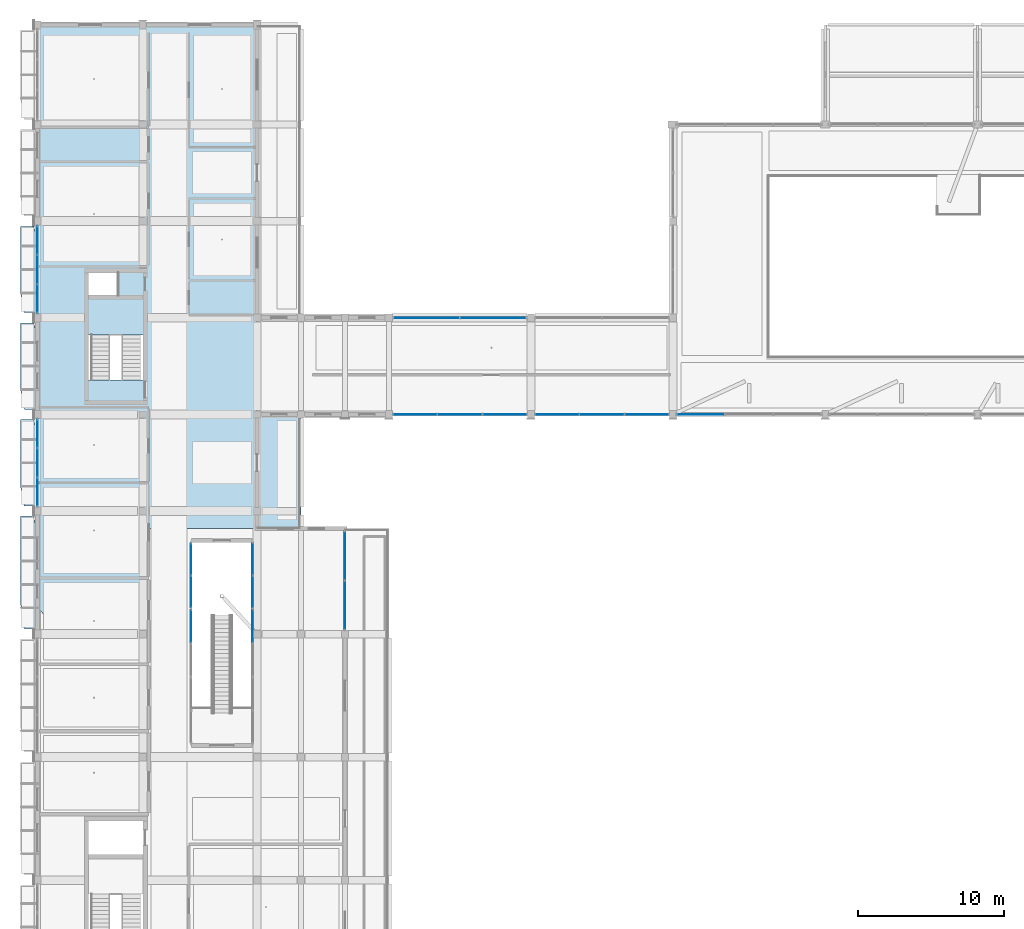
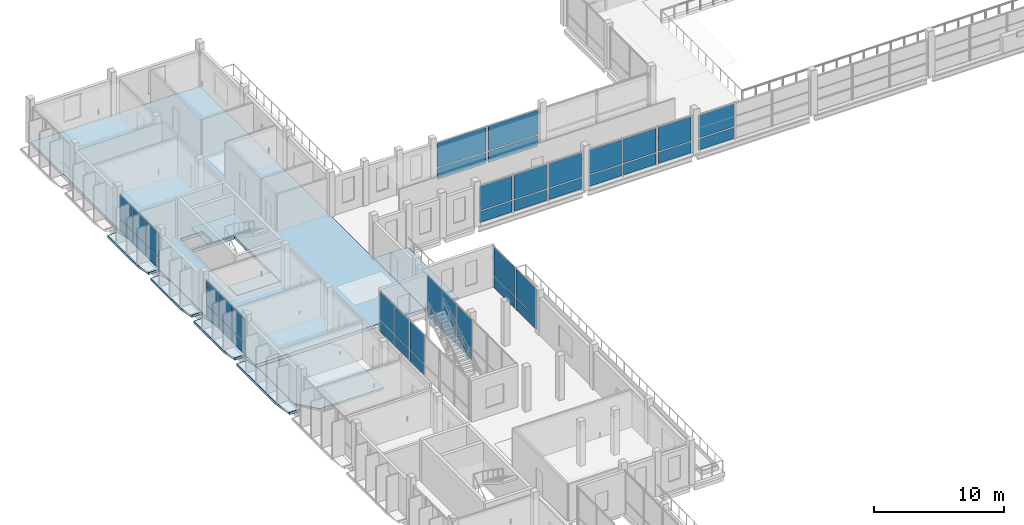
# One storey, part 31 of 85: 46 plates, 9 slabs, 12 elements without a shape of their own.
"""IFC4 building model written with IfcOpenShell, lengths in metres."""

from ifc_helpers import new_model, si_unit, derived_unit, direction, frame, origin, origin_2d, place, context, subcontext, project, spatial, polyline, rectangle, outline, extrude, material, layer, layer_set, type_object, element, aggregate, save


model = new_model("IFC4")

# Units and contexts
model_context = context("Model", 3, precision=1e-05, world=origin(), true_north=direction((0.0, 1.0)))
body_context = subcontext(model_context, "Body", "Model", "MODEL_VIEW")
ifc_project = project(units=[si_unit("LENGTHUNIT", "METRE"), si_unit("AREAUNIT", "SQUARE_METRE"), si_unit("VOLUMEUNIT", "CUBIC_METRE"), si_unit("PLANEANGLEUNIT", "RADIAN"), si_unit("MASSUNIT", "GRAM", prefix="KILO"), derived_unit("THERMALTRANSMITTANCEUNIT", [(si_unit("POWERUNIT", "WATT"), 1), (si_unit("LENGTHUNIT", "METRE"), -2), (si_unit("THERMODYNAMICTEMPERATUREUNIT", "KELVIN"), -1)])], contexts=[model_context])

# Site, building, storey
site_placement = place(None, origin())
site = spatial("IfcSite", under=ifc_project, at=site_placement, CompositionType="ELEMENT")
building_placement = place(site_placement, origin())
building = spatial("IfcBuilding", under=site, at=building_placement, Name="Braskholm Square Health Centre", CompositionType="ELEMENT")
storey_placement = place(building_placement, frame((0.0, 0.0, 9.300048828125)))
storey = spatial("IfcBuildingStorey", under=building, at=storey_placement, Name="L03", CompositionType="ELEMENT", Elevation=9.300048828125)

# Curtain wall, plates
ifc_material_1 = material(Name="Low-E triple insulating glass (VLT 0.64)", Category="glass")
curtain_wall_type_1 = type_object("IfcCurtainWallType", Name="UnitisedCurtainWall6200x3650", PredefinedType="NOTDEFINED", material=ifc_material_1)
curtain_wall_1_placement = place(storey_placement, origin())
curtain_wall_1 = element("IfcCurtainWall", 1, at=curtain_wall_1_placement, inside=storey, type_object=curtain_wall_type_1, Name="West Outer unitised curtain wall CW-L03-0019", PredefinedType="NOTDEFINED")
ifc_material_2 = material(Name="Architectural bronze anodised aluminium", Category="aluminium")
plate_type_1 = type_object("IfcPlateType", Name="CurtainPanelSpandrel1850x1020", PredefinedType="CURTAIN_PANEL", material=ifc_material_2)
plate_1_placement = place(storey_placement, frame((4.199951171875, 85.90673828125, 0.050048828125), z_axis=(0.0, 0.0, 1.0), x_axis=(0.0, -1.0, 0.0)))
plate_1 = element("IfcPlate", 2, at=plate_1_placement, type_object=plate_type_1, Name="CW-L03-0019 spandrel panel 1", PredefinedType="CURTAIN_PANEL", context=body_context, shape_type="SweptSolid", body=[
    extrude(rectangle(XDim=1.88623046875, YDim=0.035888671875, at=origin_2d()), origin(), (0.0, 0.0, 1.0), 1.02001953125),
])
plate_2_placement = place(storey_placement, frame((4.199951171875, 83.89990234375, 0.050048828125), z_axis=(0.0, 0.0, 1.0), x_axis=(0.0, -1.0, 0.0)))
plate_2 = element("IfcPlate", 3, at=plate_2_placement, type_object=plate_type_1, Name="CW-L03-0019 spandrel panel 2", PredefinedType="CURTAIN_PANEL", context=body_context, shape_type="SweptSolid", body=[
    extrude(rectangle(XDim=1.88623046875, YDim=0.035888671875, at=origin_2d()), origin(), (0.0, 0.0, 1.0), 1.02001953125),
])
plate_3_placement = place(storey_placement, frame((4.199951171875, 81.893310546875, 0.050048828125), z_axis=(0.0, 0.0, 1.0), x_axis=(0.0, -1.0, 0.0)))
plate_3 = element("IfcPlate", 4, at=plate_3_placement, type_object=plate_type_1, Name="CW-L03-0019 spandrel panel 3", PredefinedType="CURTAIN_PANEL", context=body_context, shape_type="SweptSolid", body=[
    extrude(rectangle(XDim=1.88623046875, YDim=0.035888671875, at=origin_2d()), origin(), (0.0, 0.0, 1.0), 1.02001953125),
])

curtain_wall_2_placement = place(storey_placement, origin())
curtain_wall_2 = element("IfcCurtainWall", 5, at=curtain_wall_2_placement, inside=storey, type_object=curtain_wall_type_1, Name="West Outer unitised curtain wall CW-L03-0020", PredefinedType="NOTDEFINED")
plate_4_placement = place(storey_placement, frame((4.199951171875, 99.106689453125, 0.050048828125), z_axis=(0.0, 0.0, 1.0), x_axis=(0.0, -1.0, 0.0)))
plate_4 = element("IfcPlate", 6, at=plate_4_placement, type_object=plate_type_1, Name="CW-L03-0020 spandrel panel 1", PredefinedType="CURTAIN_PANEL", context=body_context, shape_type="SweptSolid", body=[
    extrude(rectangle(XDim=1.88623046875, YDim=0.035888671875, at=origin_2d()), origin(), (0.0, 0.0, 1.0), 1.02001953125),
])
plate_5_placement = place(storey_placement, frame((4.199951171875, 97.10009765625, 0.050048828125), z_axis=(0.0, 0.0, 1.0), x_axis=(0.0, -1.0, 0.0)))
plate_5 = element("IfcPlate", 7, at=plate_5_placement, type_object=plate_type_1, Name="CW-L03-0020 spandrel panel 2", PredefinedType="CURTAIN_PANEL", context=body_context, shape_type="SweptSolid", body=[
    extrude(rectangle(XDim=1.88623046875, YDim=0.035888671875, at=origin_2d()), origin(), (0.0, 0.0, 1.0), 1.02001953125),
])
plate_6_placement = place(storey_placement, frame((4.199951171875, 95.09326171875, 0.050048828125), z_axis=(0.0, 0.0, 1.0), x_axis=(0.0, -1.0, 0.0)))
plate_6 = element("IfcPlate", 8, at=plate_6_placement, type_object=plate_type_1, Name="CW-L03-0020 spandrel panel 3", PredefinedType="CURTAIN_PANEL", context=body_context, shape_type="SweptSolid", body=[
    extrude(rectangle(XDim=1.88623046875, YDim=0.035888671875, at=origin_2d()), origin(), (0.0, 0.0, 1.0), 1.02001953125),
])

# Curtain wall, plate
curtain_wall_type_2 = type_object("IfcCurtainWallType", Name="UnitisedCurtainWall4800x3800", PredefinedType="NOTDEFINED", material=ifc_material_1)
curtain_wall_3_placement = place(storey_placement, origin())
curtain_wall_3 = element("IfcCurtainWall", 9, at=curtain_wall_3_placement, inside=storey, type_object=curtain_wall_type_2, Name="WC2 Court W unitised curtain wall CW-L03-0299", PredefinedType="NOTDEFINED")
plate_type_2 = type_object("IfcPlateType", Name="CurtainPanelSpandrel2150x1020", PredefinedType="CURTAIN_PANEL", material=ifc_material_2)
plate_7_placement = place(storey_placement, frame((14.699951171875, 72.75, 0.050048828125), z_axis=(0.0, 0.0, 1.0), x_axis=(0.0, 1.0, 0.0)))
plate_7 = element("IfcPlate", 10, at=plate_7_placement, type_object=plate_type_2, Name="CW-L03-0299 spandrel panel 2", PredefinedType="CURTAIN_PANEL", context=body_context, shape_type="SweptSolid", body=[
    extrude(rectangle(XDim=2.188232421875, YDim=0.035888671875, at=origin_2d()), origin(), (0.0, 0.0, 1.0), 1.02001953125),
])

curtain_wall_4_placement = place(storey_placement, origin())
curtain_wall_4 = element("IfcCurtainWall", 11, at=curtain_wall_4_placement, inside=storey, type_object=curtain_wall_type_2, Name="WC2 Court E unitised curtain wall CW-L03-0300", PredefinedType="NOTDEFINED")
plate_8_placement = place(storey_placement, frame((18.89990234375, 72.75, 0.050048828125), z_axis=(0.0, 0.0, 1.0), x_axis=(0.0, -1.0, 0.0)))
plate_8 = element("IfcPlate", 12, at=plate_8_placement, type_object=plate_type_2, Name="CW-L03-0300 spandrel panel 1", PredefinedType="CURTAIN_PANEL", context=body_context, shape_type="SweptSolid", body=[
    extrude(rectangle(XDim=2.188232421875, YDim=0.035888671875, at=origin_2d()), origin(), (0.0, 0.0, 1.0), 1.02001953125),
])

# Curtain wall, plates
curtain_wall_5_placement = place(storey_placement, origin())
curtain_wall_5 = element("IfcCurtainWall", 13, at=curtain_wall_5_placement, inside=storey, type_object=curtain_wall_type_2, Name="WC2 Court W unitised curtain wall CW-L03-0301", PredefinedType="NOTDEFINED")
plate_9_placement = place(storey_placement, frame((14.699951171875, 75.08203125, 0.050048828125), z_axis=(0.0, 0.0, 1.0), x_axis=(0.0, 1.0, 0.0)))
plate_9 = element("IfcPlate", 14, at=plate_9_placement, type_object=plate_type_2, Name="CW-L03-0301 spandrel panel 1", PredefinedType="CURTAIN_PANEL", context=body_context, shape_type="SweptSolid", body=[
    extrude(rectangle(XDim=2.125244140625, YDim=0.035888671875, at=origin_2d()), origin(), (0.0, 0.0, 1.0), 1.02001953125),
])
plate_10_placement = place(storey_placement, frame((14.699951171875, 77.31591796875, 0.050048828125), z_axis=(0.0, 0.0, 1.0), x_axis=(0.0, 1.0, 0.0)))
plate_10 = element("IfcPlate", 15, at=plate_10_placement, type_object=plate_type_2, Name="CW-L03-0301 spandrel panel 2", PredefinedType="CURTAIN_PANEL", context=body_context, shape_type="SweptSolid", body=[
    extrude(rectangle(XDim=2.125244140625, YDim=0.035888671875, at=origin_2d()), origin(), (0.0, 0.0, 1.0), 1.02001953125),
])

curtain_wall_6_placement = place(storey_placement, origin())
curtain_wall_6 = element("IfcCurtainWall", 16, at=curtain_wall_6_placement, inside=storey, type_object=curtain_wall_type_2, Name="WC2 Court E unitised curtain wall CW-L03-0302", PredefinedType="NOTDEFINED")
plate_11_placement = place(storey_placement, frame((18.89990234375, 77.31591796875, 0.050048828125), z_axis=(0.0, 0.0, 1.0), x_axis=(0.0, -1.0, 0.0)))
plate_11 = element("IfcPlate", 17, at=plate_11_placement, type_object=plate_type_2, Name="CW-L03-0302 spandrel panel 1", PredefinedType="CURTAIN_PANEL", context=body_context, shape_type="SweptSolid", body=[
    extrude(rectangle(XDim=2.125244140625, YDim=0.035888671875, at=origin_2d()), origin(), (0.0, 0.0, 1.0), 1.02001953125),
])
plate_12_placement = place(storey_placement, frame((18.89990234375, 75.08203125, 0.050048828125), z_axis=(0.0, 0.0, 1.0), x_axis=(0.0, -1.0, 0.0)))
plate_12 = element("IfcPlate", 18, at=plate_12_placement, type_object=plate_type_2, Name="CW-L03-0302 spandrel panel 2", PredefinedType="CURTAIN_PANEL", context=body_context, shape_type="SweptSolid", body=[
    extrude(rectangle(XDim=2.125244140625, YDim=0.035888671875, at=origin_2d()), origin(), (0.0, 0.0, 1.0), 1.02001953125),
])

curtain_wall_7_placement = place(storey_placement, origin())
curtain_wall_7 = element("IfcCurtainWall", 19, at=curtain_wall_7_placement, inside=storey, type_object=curtain_wall_type_1, Name="Hall Clerestory L03 unitised curtain wall CW-L03-0173", PredefinedType="NOTDEFINED")
plate_type_3 = type_object("IfcPlateType", Name="CurtainPanelSpandrel2750x1020", PredefinedType="CURTAIN_PANEL", material=ifc_material_2)
plate_13_placement = place(storey_placement, frame((29.97119140625, 87.199951171875, 0.050048828125), z_axis=(0.0, 0.0, 1.0), x_axis=(1.0, 0.0, 0.0)))
plate_13 = element("IfcPlate", 20, at=plate_13_placement, type_object=plate_type_3, Name="CW-L03-0173 spandrel panel 1", PredefinedType="CURTAIN_PANEL", context=body_context, shape_type="SweptSolid", body=[
    extrude(rectangle(XDim=2.893798828125, YDim=0.035888671875, at=origin_2d()), origin(), (0.0, 0.0, 1.0), 1.02001953125),
])
plate_14_placement = place(storey_placement, frame((33.050048828125, 87.199951171875, 0.050048828125), z_axis=(0.0, 0.0, 1.0), x_axis=(1.0, 0.0, 0.0)))
plate_14 = element("IfcPlate", 21, at=plate_14_placement, type_object=plate_type_3, Name="CW-L03-0173 spandrel panel 2", PredefinedType="CURTAIN_PANEL", context=body_context, shape_type="SweptSolid", body=[
    extrude(rectangle(XDim=2.893798828125, YDim=0.035888671875, at=origin_2d()), origin(), (0.0, 0.0, 1.0), 1.02001953125),
])
plate_15_placement = place(storey_placement, frame((36.128662109375, 87.199951171875, 0.050048828125), z_axis=(0.0, 0.0, 1.0), x_axis=(1.0, 0.0, 0.0)))
plate_15 = element("IfcPlate", 22, at=plate_15_placement, type_object=plate_type_3, Name="CW-L03-0173 spandrel panel 3", PredefinedType="CURTAIN_PANEL", context=body_context, shape_type="SweptSolid", body=[
    extrude(rectangle(XDim=2.893798828125, YDim=0.035888671875, at=origin_2d()), origin(), (0.0, 0.0, 1.0), 1.02001953125),
])

curtain_wall_8_placement = place(storey_placement, origin())
curtain_wall_8 = element("IfcCurtainWall", 23, at=curtain_wall_8_placement, inside=storey, type_object=curtain_wall_type_1, Name="Hall Clerestory L03 unitised curtain wall CW-L03-0179", PredefinedType="NOTDEFINED")
plate_16_placement = place(storey_placement, frame((39.67138671875, 87.199951171875, 0.050048828125), z_axis=(0.0, 0.0, 1.0), x_axis=(1.0, 0.0, 0.0)))
plate_16 = element("IfcPlate", 24, at=plate_16_placement, type_object=plate_type_3, Name="CW-L03-0179 spandrel panel 1", PredefinedType="CURTAIN_PANEL", context=body_context, shape_type="SweptSolid", body=[
    extrude(rectangle(XDim=2.893798828125, YDim=0.035888671875, at=origin_2d()), origin(), (0.0, 0.0, 1.0), 1.02001953125),
])
plate_17_placement = place(storey_placement, frame((42.75, 87.199951171875, 0.050048828125), z_axis=(0.0, 0.0, 1.0), x_axis=(1.0, 0.0, 0.0)))
plate_17 = element("IfcPlate", 25, at=plate_17_placement, type_object=plate_type_3, Name="CW-L03-0179 spandrel panel 2", PredefinedType="CURTAIN_PANEL", context=body_context, shape_type="SweptSolid", body=[
    extrude(rectangle(XDim=2.893798828125, YDim=0.035888671875, at=origin_2d()), origin(), (0.0, 0.0, 1.0), 1.02001953125),
])
plate_18_placement = place(storey_placement, frame((45.82861328125, 87.199951171875, 0.050048828125), z_axis=(0.0, 0.0, 1.0), x_axis=(1.0, 0.0, 0.0)))
plate_18 = element("IfcPlate", 26, at=plate_18_placement, type_object=plate_type_3, Name="CW-L03-0179 spandrel panel 3", PredefinedType="CURTAIN_PANEL", context=body_context, shape_type="SweptSolid", body=[
    extrude(rectangle(XDim=2.893798828125, YDim=0.035888671875, at=origin_2d()), origin(), (0.0, 0.0, 1.0), 1.02001953125),
])

curtain_wall_type_3 = type_object("IfcCurtainWallType", Name="UnitisedCurtainWall6200x4100", PredefinedType="NOTDEFINED", material=ifc_material_1)
curtain_wall_9_placement = place(storey_placement, origin())
curtain_wall_9 = element("IfcCurtainWall", 27, at=curtain_wall_9_placement, inside=storey, type_object=curtain_wall_type_3, Name="West Valley unitised curtain wall CW-L03-0094", PredefinedType="NOTDEFINED")
plate_type_4 = type_object("IfcPlateType", Name="CurtainPanelSpandrel3150x1020", PredefinedType="CURTAIN_PANEL", material=ifc_material_2)
plate_19_placement = place(storey_placement, frame((25.199951171875, 74.179931640625, 0.050048828125), z_axis=(0.0, 0.0, 1.0), x_axis=(0.0, 1.0, 0.0)))
plate_19 = element("IfcPlate", 28, at=plate_19_placement, type_object=plate_type_4, Name="CW-L03-0094 spandrel panel 1", PredefinedType="CURTAIN_PANEL", context=body_context, shape_type="SweptSolid", body=[
    extrude(rectangle(XDim=3.195068359375, YDim=0.035888671875, at=origin_2d()), origin(), (0.0, 0.0, 1.0), 1.02001953125),
])
plate_20_placement = place(storey_placement, frame((25.199951171875, 77.5380859375, 0.050048828125), z_axis=(0.0, 0.0, 1.0), x_axis=(0.0, 1.0, 0.0)))
plate_20 = element("IfcPlate", 29, at=plate_20_placement, type_object=plate_type_4, Name="CW-L03-0094 spandrel panel 2", PredefinedType="CURTAIN_PANEL", context=body_context, shape_type="SweptSolid", body=[
    extrude(rectangle(XDim=3.195068359375, YDim=0.035888671875, at=origin_2d()), origin(), (0.0, 0.0, 1.0), 1.02001953125),
])

# Curtain wall, plate
curtain_wall_10_placement = place(storey_placement, origin())
curtain_wall_10 = element("IfcCurtainWall", 30, at=curtain_wall_10_placement, inside=storey, type_object=curtain_wall_type_1, Name="Hall Clerestory L03 unitised curtain wall CW-L03-0185", PredefinedType="NOTDEFINED")
plate_21_placement = place(storey_placement, frame((49.488037109375, 87.199951171875, 0.050048828125), z_axis=(0.0, 0.0, 1.0), x_axis=(1.0, 0.0, 0.0)))
plate_21 = element("IfcPlate", 31, at=plate_21_placement, type_object=plate_type_4, Name="CW-L03-0185 spandrel panel 1", PredefinedType="CURTAIN_PANEL", context=body_context, shape_type="SweptSolid", body=[
    extrude(rectangle(XDim=3.11328125, YDim=0.035888671875, at=origin_2d()), origin(), (0.0, 0.0, 1.0), 1.02001953125),
])

# Curtain wall, plates
curtain_wall_11_placement = place(storey_placement, origin())
curtain_wall_11 = element("IfcCurtainWall", 32, at=curtain_wall_11_placement, inside=storey, type_object=curtain_wall_type_1, Name="Portal North L03 unitised curtain wall CW-L03-0176", PredefinedType="NOTDEFINED")
plate_type_5 = type_object("IfcPlateType", Name="CurtainPanelSpandrel4350x1020", PredefinedType="CURTAIN_PANEL", material=ifc_material_2)
plate_22_placement = place(storey_placement, frame((35.3212890625, 93.800048828125, 0.050048828125), z_axis=(0.0, 0.0, 1.0), x_axis=(-1.0, 0.0, 0.0)))
plate_22 = element("IfcPlate", 33, at=plate_22_placement, type_object=plate_type_5, Name="CW-L03-0176 spandrel panel 1", PredefinedType="CURTAIN_PANEL", context=body_context, shape_type="SweptSolid", body=[
    extrude(rectangle(XDim=4.322021484375, YDim=0.035888671875, at=origin_2d()), origin(), (0.0, 0.0, 1.0), 1.02001953125),
])
plate_23_placement = place(storey_placement, frame((30.778564453125, 93.800048828125, 0.050048828125), z_axis=(0.0, 0.0, 1.0), x_axis=(-1.0, 0.0, 0.0)))
plate_23 = element("IfcPlate", 34, at=plate_23_placement, type_object=plate_type_5, Name="CW-L03-0176 spandrel panel 2", PredefinedType="CURTAIN_PANEL", context=body_context, shape_type="SweptSolid", body=[
    extrude(rectangle(XDim=4.322021484375, YDim=0.035888671875, at=origin_2d()), origin(), (0.0, 0.0, 1.0), 1.02001953125),
])

# Plate
plate_type_6 = type_object("IfcPlateType", Name="CurtainPanelVision1850x2120", PredefinedType="CURTAIN_PANEL", material=ifc_material_1)
plate_24_placement = place(storey_placement, frame((4.199951171875, 85.90673828125, 1.169921875), z_axis=(0.0, 0.0, 1.0), x_axis=(0.0, -1.0, 0.0)))
plate_24 = element("IfcPlate", 35, at=plate_24_placement, type_object=plate_type_6, Name="CW-L03-0019 vision glass panel 1", PredefinedType="CURTAIN_PANEL", context=body_context, shape_type="SweptSolid", body=[
    extrude(rectangle(XDim=1.88623046875, YDim=0.035888671875, at=origin_2d()), origin(), (0.0, 0.0, 1.0), 2.199951171875),
])

plate_25_placement = place(storey_placement, frame((4.199951171875, 83.89990234375, 1.169921875), z_axis=(0.0, 0.0, 1.0), x_axis=(0.0, -1.0, 0.0)))
plate_25 = element("IfcPlate", 36, at=plate_25_placement, type_object=plate_type_6, Name="CW-L03-0019 vision glass panel 2", PredefinedType="CURTAIN_PANEL", context=body_context, shape_type="SweptSolid", body=[
    extrude(rectangle(XDim=1.88623046875, YDim=0.035888671875, at=origin_2d()), origin(), (0.0, 0.0, 1.0), 2.199951171875),
])

plate_26_placement = place(storey_placement, frame((4.199951171875, 81.893310546875, 1.169921875), z_axis=(0.0, 0.0, 1.0), x_axis=(0.0, -1.0, 0.0)))
plate_26 = element("IfcPlate", 37, at=plate_26_placement, type_object=plate_type_6, Name="CW-L03-0019 vision glass panel 3", PredefinedType="CURTAIN_PANEL", context=body_context, shape_type="SweptSolid", body=[
    extrude(rectangle(XDim=1.88623046875, YDim=0.035888671875, at=origin_2d()), origin(), (0.0, 0.0, 1.0), 2.199951171875),
])

aggregate(curtain_wall_1, [plate_1, plate_24, plate_2, plate_25, plate_3, plate_26])

plate_27_placement = place(storey_placement, frame((4.199951171875, 99.106689453125, 1.169921875), z_axis=(0.0, 0.0, 1.0), x_axis=(0.0, -1.0, 0.0)))
plate_27 = element("IfcPlate", 38, at=plate_27_placement, type_object=plate_type_6, Name="CW-L03-0020 vision glass panel 1", PredefinedType="CURTAIN_PANEL", context=body_context, shape_type="SweptSolid", body=[
    extrude(rectangle(XDim=1.88623046875, YDim=0.035888671875, at=origin_2d()), origin(), (0.0, 0.0, 1.0), 2.199951171875),
])

plate_28_placement = place(storey_placement, frame((4.199951171875, 97.10009765625, 1.169921875), z_axis=(0.0, 0.0, 1.0), x_axis=(0.0, -1.0, 0.0)))
plate_28 = element("IfcPlate", 39, at=plate_28_placement, type_object=plate_type_6, Name="CW-L03-0020 vision glass panel 2", PredefinedType="CURTAIN_PANEL", context=body_context, shape_type="SweptSolid", body=[
    extrude(rectangle(XDim=1.88623046875, YDim=0.035888671875, at=origin_2d()), origin(), (0.0, 0.0, 1.0), 2.199951171875),
])

plate_29_placement = place(storey_placement, frame((4.199951171875, 95.09326171875, 1.169921875), z_axis=(0.0, 0.0, 1.0), x_axis=(0.0, -1.0, 0.0)))
plate_29 = element("IfcPlate", 40, at=plate_29_placement, type_object=plate_type_6, Name="CW-L03-0020 vision glass panel 3", PredefinedType="CURTAIN_PANEL", context=body_context, shape_type="SweptSolid", body=[
    extrude(rectangle(XDim=1.88623046875, YDim=0.035888671875, at=origin_2d()), origin(), (0.0, 0.0, 1.0), 2.199951171875),
])

aggregate(curtain_wall_2, [plate_4, plate_27, plate_5, plate_28, plate_6, plate_29])

plate_type_7 = type_object("IfcPlateType", Name="CurtainPanelVision2150x2520", PredefinedType="CURTAIN_PANEL", material=ifc_material_1)
plate_30_placement = place(storey_placement, frame((14.699951171875, 72.75, 1.169921875), z_axis=(0.0, 0.0, 1.0), x_axis=(0.0, 1.0, 0.0)))
plate_30 = element("IfcPlate", 41, at=plate_30_placement, type_object=plate_type_7, Name="CW-L03-0299 vision glass panel 2", PredefinedType="CURTAIN_PANEL", context=body_context, shape_type="SweptSolid", body=[
    extrude(rectangle(XDim=2.188232421875, YDim=0.035888671875, at=origin_2d()), origin(), (0.0, 0.0, 1.0), 2.6201171875),
])

aggregate(curtain_wall_3, [plate_7, plate_30])

plate_31_placement = place(storey_placement, frame((18.89990234375, 72.75, 1.169921875), z_axis=(0.0, 0.0, 1.0), x_axis=(0.0, -1.0, 0.0)))
plate_31 = element("IfcPlate", 42, at=plate_31_placement, type_object=plate_type_7, Name="CW-L03-0300 vision glass panel 1", PredefinedType="CURTAIN_PANEL", context=body_context, shape_type="SweptSolid", body=[
    extrude(rectangle(XDim=2.188232421875, YDim=0.035888671875, at=origin_2d()), origin(), (0.0, 0.0, 1.0), 2.6201171875),
])

aggregate(curtain_wall_4, [plate_8, plate_31])

plate_32_placement = place(storey_placement, frame((14.699951171875, 75.08203125, 1.169921875), z_axis=(0.0, 0.0, 1.0), x_axis=(0.0, 1.0, 0.0)))
plate_32 = element("IfcPlate", 43, at=plate_32_placement, type_object=plate_type_7, Name="CW-L03-0301 vision glass panel 1", PredefinedType="CURTAIN_PANEL", context=body_context, shape_type="SweptSolid", body=[
    extrude(rectangle(XDim=2.125244140625, YDim=0.035888671875, at=origin_2d()), origin(), (0.0, 0.0, 1.0), 2.6201171875),
])

plate_33_placement = place(storey_placement, frame((14.699951171875, 77.31591796875, 1.169921875), z_axis=(0.0, 0.0, 1.0), x_axis=(0.0, 1.0, 0.0)))
plate_33 = element("IfcPlate", 44, at=plate_33_placement, type_object=plate_type_7, Name="CW-L03-0301 vision glass panel 2", PredefinedType="CURTAIN_PANEL", context=body_context, shape_type="SweptSolid", body=[
    extrude(rectangle(XDim=2.125244140625, YDim=0.035888671875, at=origin_2d()), origin(), (0.0, 0.0, 1.0), 2.6201171875),
])

aggregate(curtain_wall_5, [plate_9, plate_32, plate_10, plate_33])

plate_34_placement = place(storey_placement, frame((18.89990234375, 77.31591796875, 1.169921875), z_axis=(0.0, 0.0, 1.0), x_axis=(0.0, -1.0, 0.0)))
plate_34 = element("IfcPlate", 45, at=plate_34_placement, type_object=plate_type_7, Name="CW-L03-0302 vision glass panel 1", PredefinedType="CURTAIN_PANEL", context=body_context, shape_type="SweptSolid", body=[
    extrude(rectangle(XDim=2.125244140625, YDim=0.035888671875, at=origin_2d()), origin(), (0.0, 0.0, 1.0), 2.6201171875),
])

plate_35_placement = place(storey_placement, frame((18.89990234375, 75.08203125, 1.169921875), z_axis=(0.0, 0.0, 1.0), x_axis=(0.0, -1.0, 0.0)))
plate_35 = element("IfcPlate", 46, at=plate_35_placement, type_object=plate_type_7, Name="CW-L03-0302 vision glass panel 2", PredefinedType="CURTAIN_PANEL", context=body_context, shape_type="SweptSolid", body=[
    extrude(rectangle(XDim=2.125244140625, YDim=0.035888671875, at=origin_2d()), origin(), (0.0, 0.0, 1.0), 2.6201171875),
])

aggregate(curtain_wall_6, [plate_11, plate_34, plate_12, plate_35])

plate_type_8 = type_object("IfcPlateType", Name="CurtainPanelVision2750x2120", PredefinedType="CURTAIN_PANEL", material=ifc_material_1)
plate_36_placement = place(storey_placement, frame((29.97119140625, 87.199951171875, 1.169921875), z_axis=(0.0, 0.0, 1.0), x_axis=(1.0, 0.0, 0.0)))
plate_36 = element("IfcPlate", 47, at=plate_36_placement, type_object=plate_type_8, Name="CW-L03-0173 vision glass panel 1", PredefinedType="CURTAIN_PANEL", context=body_context, shape_type="SweptSolid", body=[
    extrude(rectangle(XDim=2.893798828125, YDim=0.035888671875, at=origin_2d()), origin(), (0.0, 0.0, 1.0), 2.27001953125),
])

plate_37_placement = place(storey_placement, frame((33.050048828125, 87.199951171875, 1.169921875), z_axis=(0.0, 0.0, 1.0), x_axis=(1.0, 0.0, 0.0)))
plate_37 = element("IfcPlate", 48, at=plate_37_placement, type_object=plate_type_8, Name="CW-L03-0173 vision glass panel 2", PredefinedType="CURTAIN_PANEL", context=body_context, shape_type="SweptSolid", body=[
    extrude(rectangle(XDim=2.893798828125, YDim=0.035888671875, at=origin_2d()), origin(), (0.0, 0.0, 1.0), 2.27001953125),
])

plate_38_placement = place(storey_placement, frame((36.128662109375, 87.199951171875, 1.169921875), z_axis=(0.0, 0.0, 1.0), x_axis=(1.0, 0.0, 0.0)))
plate_38 = element("IfcPlate", 49, at=plate_38_placement, type_object=plate_type_8, Name="CW-L03-0173 vision glass panel 3", PredefinedType="CURTAIN_PANEL", context=body_context, shape_type="SweptSolid", body=[
    extrude(rectangle(XDim=2.893798828125, YDim=0.035888671875, at=origin_2d()), origin(), (0.0, 0.0, 1.0), 2.27001953125),
])

aggregate(curtain_wall_7, [plate_13, plate_36, plate_14, plate_37, plate_15, plate_38])

plate_39_placement = place(storey_placement, frame((39.67138671875, 87.199951171875, 1.169921875), z_axis=(0.0, 0.0, 1.0), x_axis=(1.0, 0.0, 0.0)))
plate_39 = element("IfcPlate", 50, at=plate_39_placement, type_object=plate_type_8, Name="CW-L03-0179 vision glass panel 1", PredefinedType="CURTAIN_PANEL", context=body_context, shape_type="SweptSolid", body=[
    extrude(rectangle(XDim=2.893798828125, YDim=0.035888671875, at=origin_2d()), origin(), (0.0, 0.0, 1.0), 2.27001953125),
])

plate_40_placement = place(storey_placement, frame((42.75, 87.199951171875, 1.169921875), z_axis=(0.0, 0.0, 1.0), x_axis=(1.0, 0.0, 0.0)))
plate_40 = element("IfcPlate", 51, at=plate_40_placement, type_object=plate_type_8, Name="CW-L03-0179 vision glass panel 2", PredefinedType="CURTAIN_PANEL", context=body_context, shape_type="SweptSolid", body=[
    extrude(rectangle(XDim=2.893798828125, YDim=0.035888671875, at=origin_2d()), origin(), (0.0, 0.0, 1.0), 2.27001953125),
])

plate_41_placement = place(storey_placement, frame((45.82861328125, 87.199951171875, 1.169921875), z_axis=(0.0, 0.0, 1.0), x_axis=(1.0, 0.0, 0.0)))
plate_41 = element("IfcPlate", 52, at=plate_41_placement, type_object=plate_type_8, Name="CW-L03-0179 vision glass panel 3", PredefinedType="CURTAIN_PANEL", context=body_context, shape_type="SweptSolid", body=[
    extrude(rectangle(XDim=2.893798828125, YDim=0.035888671875, at=origin_2d()), origin(), (0.0, 0.0, 1.0), 2.27001953125),
])

aggregate(curtain_wall_8, [plate_16, plate_39, plate_17, plate_40, plate_18, plate_41])

plate_type_9 = type_object("IfcPlateType", Name="CurtainPanelVision3150x2120", PredefinedType="CURTAIN_PANEL", material=ifc_material_1)
plate_42_placement = place(storey_placement, frame((49.488037109375, 87.199951171875, 1.169921875), z_axis=(0.0, 0.0, 1.0), x_axis=(1.0, 0.0, 0.0)))
plate_42 = element("IfcPlate", 53, at=plate_42_placement, type_object=plate_type_9, Name="CW-L03-0185 vision glass panel 1", PredefinedType="CURTAIN_PANEL", context=body_context, shape_type="SweptSolid", body=[
    extrude(rectangle(XDim=3.11328125, YDim=0.035888671875, at=origin_2d()), origin(), (0.0, 0.0, 1.0), 2.1259765625),
])

aggregate(curtain_wall_10, [plate_21, plate_42])

plate_type_10 = type_object("IfcPlateType", Name="CurtainPanelVision3150x2520", PredefinedType="CURTAIN_PANEL", material=ifc_material_1)
plate_43_placement = place(storey_placement, frame((25.199951171875, 74.179931640625, 1.169921875), z_axis=(0.0, 0.0, 1.0), x_axis=(0.0, 1.0, 0.0)))
plate_43 = element("IfcPlate", 54, at=plate_43_placement, type_object=plate_type_10, Name="CW-L03-0094 vision glass panel 1", PredefinedType="CURTAIN_PANEL", context=body_context, shape_type="SweptSolid", body=[
    extrude(rectangle(XDim=3.195068359375, YDim=0.035888671875, at=origin_2d()), origin(), (0.0, 0.0, 1.0), 2.669921875),
])

plate_44_placement = place(storey_placement, frame((25.199951171875, 77.5380859375, 1.169921875), z_axis=(0.0, 0.0, 1.0), x_axis=(0.0, 1.0, 0.0)))
plate_44 = element("IfcPlate", 55, at=plate_44_placement, type_object=plate_type_10, Name="CW-L03-0094 vision glass panel 2", PredefinedType="CURTAIN_PANEL", context=body_context, shape_type="SweptSolid", body=[
    extrude(rectangle(XDim=3.195068359375, YDim=0.035888671875, at=origin_2d()), origin(), (0.0, 0.0, 1.0), 2.669921875),
])

aggregate(curtain_wall_9, [plate_19, plate_43, plate_20, plate_44])

plate_type_11 = type_object("IfcPlateType", Name="CurtainPanelVision4350x2120", PredefinedType="CURTAIN_PANEL", material=ifc_material_1)
plate_45_placement = place(storey_placement, frame((35.3212890625, 93.800048828125, 1.169921875), z_axis=(0.0, 0.0, 1.0), x_axis=(-1.0, 0.0, 0.0)))
plate_45 = element("IfcPlate", 56, at=plate_45_placement, type_object=plate_type_11, Name="CW-L03-0176 vision glass panel 1", PredefinedType="CURTAIN_PANEL", context=body_context, shape_type="SweptSolid", body=[
    extrude(rectangle(XDim=4.322021484375, YDim=0.035888671875, at=origin_2d()), origin(), (0.0, 0.0, 1.0), 2.27001953125),
])

plate_46_placement = place(storey_placement, frame((30.778564453125, 93.800048828125, 1.169921875), z_axis=(0.0, 0.0, 1.0), x_axis=(-1.0, 0.0, 0.0)))
plate_46 = element("IfcPlate", 57, at=plate_46_placement, type_object=plate_type_11, Name="CW-L03-0176 vision glass panel 2", PredefinedType="CURTAIN_PANEL", context=body_context, shape_type="SweptSolid", body=[
    extrude(rectangle(XDim=4.322021484375, YDim=0.035888671875, at=origin_2d()), origin(), (0.0, 0.0, 1.0), 2.27001953125),
])

aggregate(curtain_wall_11, [plate_22, plate_45, plate_23, plate_46])

# Slabs
ifc_material_3 = material(Name="Precast concrete C40/50 architectural white", Category="concrete")
ifc_layer_1 = layer(ifc_material_3, 0.2099609375)
ifc_layer_set_1 = layer_set([ifc_layer_1], Name="Precast concrete C40/50 architectural white")
slab_type_1 = type_object("IfcSlabType", Name="PitchedAndCrownRoofSlab150", PredefinedType="ROOF", material=ifc_layer_set_1)
slab_1_placement = place(storey_placement, frame((0.0, 0.0, -0.2099609375)))
element("IfcSlab", 58, at=slab_1_placement, inside=storey, type_object=slab_type_1, Name="Level L03 West precast planter ledge 027", PredefinedType="ROOF", context=body_context, shape_type="SweptSolid", body=[
    extrude(outline(polyline([(3.302978515625, 72.550048828125), (4.199951171875, 72.550048828125), (4.199951171875, 78.555908203125), (3.947021484375, 80.25), (3.050048828125, 80.25), (3.050048828125, 74.243896484375), (3.302978515625, 72.550048828125)])), origin(), (0.0, 0.0, 1.0), 0.2099609375),
])
slab_2_placement = place(storey_placement, frame((0.0, 0.0, -0.2099609375)))
element("IfcSlab", 59, at=slab_2_placement, inside=storey, type_object=slab_type_1, Name="Level L03 West precast planter ledge 028", PredefinedType="ROOF", context=body_context, shape_type="SweptSolid", body=[
    extrude(outline(polyline([(3.302978515625, 80.949951171875), (4.199951171875, 80.949951171875), (4.199951171875, 85.552001953125), (3.947021484375, 86.85009765625), (3.050048828125, 86.85009765625), (3.050048828125, 82.248046875), (3.302978515625, 80.949951171875)])), origin(), (0.0, 0.0, 1.0), 0.2099609375),
])
slab_3_placement = place(storey_placement, frame((0.0, 0.0, -0.2099609375)))
element("IfcSlab", 60, at=slab_3_placement, inside=storey, type_object=slab_type_1, Name="Level L03 West precast planter ledge 029", PredefinedType="ROOF", context=body_context, shape_type="SweptSolid", body=[
    extrude(outline(polyline([(3.302978515625, 87.550048828125), (4.199951171875, 87.550048828125), (4.199951171875, 92.152099609375), (3.947021484375, 93.449951171875), (3.050048828125, 93.449951171875), (3.050048828125, 88.847900390625), (3.302978515625, 87.550048828125)])), origin(), (0.0, 0.0, 1.0), 0.2099609375),
])
slab_4_placement = place(storey_placement, frame((0.0, 0.0, -0.2099609375)))
element("IfcSlab", 61, at=slab_4_placement, inside=storey, type_object=slab_type_1, Name="Level L03 West precast planter ledge 030", PredefinedType="ROOF", context=body_context, shape_type="SweptSolid", body=[
    extrude(outline(polyline([(3.302978515625, 94.14990234375), (4.199951171875, 94.14990234375), (4.199951171875, 98.751953125), (3.947021484375, 100.050048828125), (3.050048828125, 100.050048828125), (3.050048828125, 95.447998046875), (3.302978515625, 94.14990234375)])), origin(), (0.0, 0.0, 1.0), 0.2099609375),
])
ifc_material_4 = material(Name="Concrete C35/45 (f'c = 35 MPa)", Category="concrete")
ifc_layer_2 = layer(ifc_material_4, 0.25)
ifc_layer_set_2 = layer_set([ifc_layer_2], Name="Concrete C35/45 (f'c = 35 MPa)")
slab_type_2 = type_object("IfcSlabType", Name="PlantedTerraceRoofSlab250", PredefinedType="ROOF", material=ifc_layer_set_2)
slab_5_placement = place(storey_placement, frame((0.0, 0.0, -0.25)))
element("IfcSlab", 62, at=slab_5_placement, inside=storey, type_object=slab_type_2, Name="Level L03 Northwest Step 1 valley terrace slab", PredefinedType="ROOF", context=body_context, shape_type="SweptSolid", body=[
    extrude(outline(polyline([(19.199951171875, 79.39990234375), (22.199951171875, 79.39990234375), (22.199951171875, 87.199951171875), (19.199951171875, 87.199951171875), (19.199951171875, 79.39990234375)])), origin(), (0.0, 0.0, 1.0), 0.25),
])
ifc_layer_3 = layer(ifc_material_4, 0.199951171875)
ifc_layer_set_3 = layer_set([ifc_layer_3], Name="Concrete C35/45 (f'c = 35 MPa)")
slab_type_3 = type_object("IfcSlabType", Name="PunchingDropPanel200", PredefinedType="USERDEFINED", material=ifc_layer_set_3)
slab_6_placement = place(storey_placement, frame((0.0, 0.0, -0.5)))
element("IfcSlab", 63, at=slab_6_placement, inside=storey, type_object=slab_type_3, Name="Thickened vibration drop panel 010 L03", ObjectType="DROPPANEL", PredefinedType="USERDEFINED", context=body_context, shape_type="SweptSolid", body=[
    extrude(outline(polyline([(5.783935546875, 72.199951171875), (11.39990234375, 72.199951171875), (11.39990234375, 78.751953125), (9.81591796875, 80.60009765625), (4.199951171875, 80.60009765625), (4.199951171875, 74.048095703125), (5.783935546875, 72.199951171875)])), origin(), (0.0, 0.0, 1.0), 0.199951171875),
])

# Stair, slabs
stair_type = type_object("IfcStairType", Name="ExitReturnStairL03", PredefinedType="HALF_TURN_STAIR", material=ifc_material_4)
stair_placement = place(storey_placement, origin())
stair = element("IfcStair", 64, at=stair_placement, inside=storey, type_object=stair_type, Name="Enclosed exit stair ST-03 L03 to L04", PredefinedType="HALF_TURN_STAIR")
ifc_layer_4 = layer(ifc_material_4, 0.179931640625)
ifc_layer_set_4 = layer_set([ifc_layer_4], Name="Concrete C35/45 (f'c = 35 MPa)")
slab_type_4 = type_object("IfcSlabType", Name="StairLandingSlab180", PredefinedType="LANDING", material=ifc_layer_set_4)
slab_7_placement = place(storey_placement, frame((0.0, 0.0, 1.919921875)))
slab_7 = element("IfcSlab", 65, at=slab_7_placement, type_object=slab_type_4, Name="Stair ST-03 half-landing L03", PredefinedType="LANDING", context=body_context, shape_type="SweptSolid", body=[
    extrude(outline(polyline([(7.64990234375, 92.639892578125), (11.449951171875, 92.639892578125), (11.449951171875, 95.10009765625), (7.64990234375, 95.10009765625), (7.64990234375, 92.639892578125)])), origin(), (0.0, 0.0, 1.0), 0.179931640625),
])
slab_8_placement = place(storey_placement, frame((0.0, 0.0, -0.179931640625)))
slab_8 = element("IfcSlab", 66, at=slab_8_placement, type_object=slab_type_4, Name="Stair ST-03 floor landing L03", PredefinedType="LANDING", context=body_context, shape_type="SweptSolid", body=[
    extrude(outline(polyline([(7.64990234375, 88.10009765625), (11.449951171875, 88.10009765625), (11.449951171875, 89.56005859375), (7.64990234375, 89.56005859375), (7.64990234375, 88.10009765625)])), origin(), (0.0, 0.0, 1.0), 0.179931640625),
])
aggregate(stair, [slab_7, slab_8])

# Slab
ifc_layer_5 = layer(ifc_material_4, 0.300048828125)
ifc_layer_set_5 = layer_set([ifc_layer_5], Name="Concrete C35/45 (f'c = 35 MPa)")
slab_type_5 = type_object("IfcSlabType", Name="TwoWayClinicalFlatSlab300", PredefinedType="FLOOR", material=ifc_layer_set_5)
slab_9_placement = place(storey_placement, frame((0.0, 0.0, -0.300048828125)))
element("IfcSlab", 67, at=slab_9_placement, inside=storey, type_object=slab_type_5, Name="Level L03 V5 Northwest dental clinic slab", PredefinedType="FLOOR", context=body_context, shape_type="SweptSolid", body=[
    extrude(outline(polyline([(4.199951171875, 79.39990234375), (19.199951171875, 79.39990234375), (19.199951171875, 113.800048828125), (4.199951171875, 113.800048828125), (4.199951171875, 79.39990234375)]), holes=[polyline([(7.6298828125, 88.080078125), (11.469970703125, 88.080078125), (11.469970703125, 95.1201171875), (7.6298828125, 95.1201171875), (7.6298828125, 88.080078125)]), polyline([(7.6298828125, 95.35009765625), (9.64990234375, 95.35009765625), (9.64990234375, 96.85009765625), (7.6298828125, 96.85009765625), (7.6298828125, 95.35009765625)])]), origin(), (0.0, 0.0, 1.0), 0.300048828125),
])

save(model, "model.ifc")
